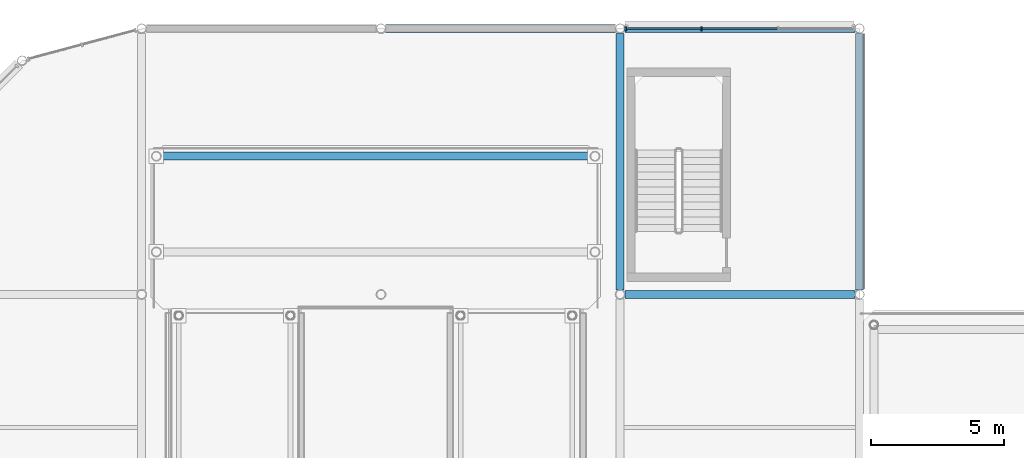
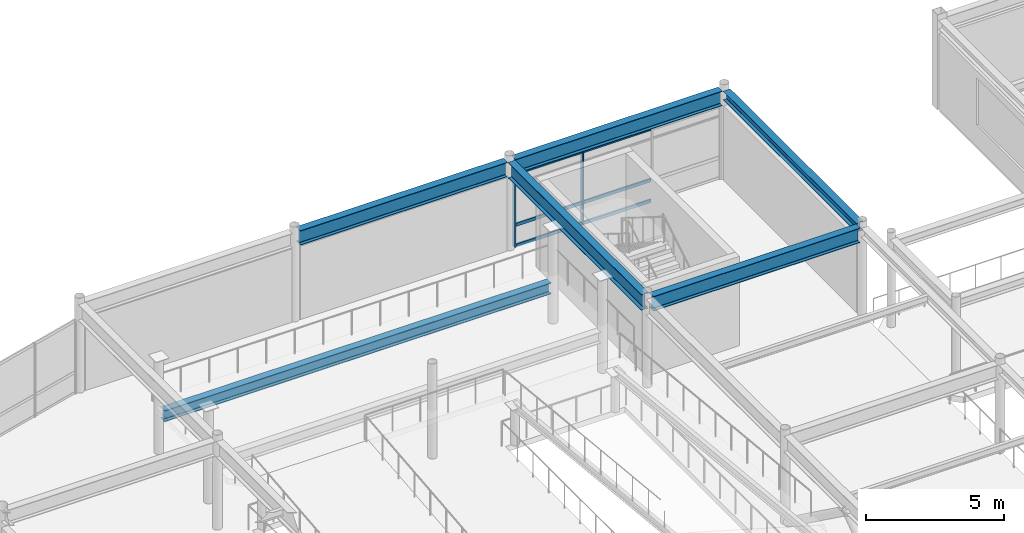
# One storey, part 23 of 70: 8 members, 6 beams, 1 element without a shape of its own.
"""IFC4 building model written with IfcOpenShell, lengths in metres."""

from ifc_helpers import new_model, si_unit, direction, frame, origin, origin_2d, place, context, subcontext, project, spatial, rectangle, i_section, extrude, material, material_profile, profile_set, type_object, element, aggregate, save


model = new_model("IFC4")

# Units and contexts
model_context = context("Model", 3, precision=1e-05, world=origin(), true_north=direction((0.0, 1.0)))
body_context = subcontext(model_context, "Body", "Model", "MODEL_VIEW")
ifc_project = project(units=[si_unit("LENGTHUNIT", "METRE"), si_unit("AREAUNIT", "SQUARE_METRE"), si_unit("VOLUMEUNIT", "CUBIC_METRE"), si_unit("PLANEANGLEUNIT", "RADIAN"), si_unit("MASSUNIT", "GRAM", prefix="KILO")], contexts=[model_context])

# Site, building, storey
site_placement = place(None, origin())
site = spatial("IfcSite", under=ifc_project, at=site_placement, CompositionType="ELEMENT")
building_placement = place(site_placement, origin())
building = spatial("IfcBuilding", under=site, at=building_placement, Name="Suzunagisa Mobility Hub", CompositionType="ELEMENT")
storey_placement = place(building_placement, frame((0.0, 0.0, 13.5)))
storey = spatial("IfcBuildingStorey", under=building, at=storey_placement, Name="L03", CompositionType="ELEMENT", Elevation=13.5)

# Curtain wall, members
ifc_material_1 = material(Name="Thermally Broken Anodized Aluminum and Low-E Glazing", Category="aluminium")
curtain_wall_type = type_object("IfcCurtainWallType", Name="Unitised Curtain Wall CW-13 8750x3200", PredefinedType="USERDEFINED", material=ifc_material_1)
curtain_wall_placement = place(storey_placement, origin())
curtain_wall = element("IfcCurtainWall", 1, at=curtain_wall_placement, inside=storey, type_object=curtain_wall_type, Name="L03 Unitised Curtain Wall CW-75", ObjectType="UNITISED CURTAIN WALL", PredefinedType="USERDEFINED")
ifc_material_2 = material(Name="Anodized Aluminum 6063-T6", Category="aluminium")
ifc_material_profile_1 = material_profile(ifc_material_2, rectangle(XDim=0.06494140625, YDim=0.139892578125, at=origin_2d()), Name="TRAN-65x140")
ifc_profile_set_1 = profile_set([ifc_material_profile_1], Name="Anodized Aluminum 6063-T6")
member_type_1 = type_object("IfcMemberType", Name="Curtain Wall Framing CM-01 TRAN-65x140", PredefinedType="USERDEFINED", material=ifc_profile_set_1)
member_1_placement = place(storey_placement, frame((32.91259765625, 118.0, 0.032470703125), z_axis=(-1.0, 0.0, 0.0), x_axis=(0.0, -1.0, 0.0)))
member_1 = element("IfcMember", 2, at=member_1_placement, type_object=member_type_1, Name="Curtain Wall Transom 75-T2.1", ObjectType="TRANSOM", PredefinedType="USERDEFINED", context=body_context, shape_type="SweptSolid", body=[
    extrude(rectangle(XDim=0.06494140625, YDim=0.139892578125, at=origin_2d()), origin(), (0.0, 0.0, 1.0), 2.8251953125),
])
member_2_placement = place(storey_placement, frame((32.91259765625, 118.0, 0.949951171875), z_axis=(-1.0, 0.0, 0.0), x_axis=(0.0, -1.0, 0.0)))
member_2 = element("IfcMember", 3, at=member_2_placement, type_object=member_type_1, Name="Curtain Wall Transom 75-T2.2", ObjectType="TRANSOM", PredefinedType="USERDEFINED", context=body_context, shape_type="SweptSolid", body=[
    extrude(rectangle(XDim=0.06494140625, YDim=0.139892578125, at=origin_2d()), origin(), (0.0, 0.0, 1.0), 2.8251953125),
])
member_3_placement = place(storey_placement, frame((32.91259765625, 118.0, 3.217529296875), z_axis=(-1.0, 0.0, 0.0), x_axis=(0.0, -1.0, 0.0)))
member_3 = element("IfcMember", 4, at=member_3_placement, type_object=member_type_1, Name="Curtain Wall Transom 75-T2.3", ObjectType="TRANSOM", PredefinedType="USERDEFINED", context=body_context, shape_type="SweptSolid", body=[
    extrude(rectangle(XDim=0.06494140625, YDim=0.139892578125, at=origin_2d()), origin(), (0.0, 0.0, 1.0), 2.8251953125),
])
member_4_placement = place(storey_placement, frame((30.03125, 118.0, 0.032470703125), z_axis=(-1.0, 0.0, 0.0), x_axis=(0.0, -1.0, 0.0)))
member_4 = element("IfcMember", 5, at=member_4_placement, type_object=member_type_1, Name="Curtain Wall Transom 75-T3.1", ObjectType="TRANSOM", PredefinedType="USERDEFINED", context=body_context, shape_type="SweptSolid", body=[
    extrude(rectangle(XDim=0.06494140625, YDim=0.139892578125, at=origin_2d()), origin(), (0.0, 0.0, 1.0), 2.79541015625),
])
member_5_placement = place(storey_placement, frame((30.03125, 118.0, 0.949951171875), z_axis=(-1.0, 0.0, 0.0), x_axis=(0.0, -1.0, 0.0)))
member_5 = element("IfcMember", 6, at=member_5_placement, type_object=member_type_1, Name="Curtain Wall Transom 75-T3.2", ObjectType="TRANSOM", PredefinedType="USERDEFINED", context=body_context, shape_type="SweptSolid", body=[
    extrude(rectangle(XDim=0.06494140625, YDim=0.139892578125, at=origin_2d()), origin(), (0.0, 0.0, 1.0), 2.79541015625),
])
member_6_placement = place(storey_placement, frame((30.03125, 118.0, 3.217529296875), z_axis=(-1.0, 0.0, 0.0), x_axis=(0.0, -1.0, 0.0)))
member_6 = element("IfcMember", 7, at=member_6_placement, type_object=member_type_1, Name="Curtain Wall Transom 75-T3.3", ObjectType="TRANSOM", PredefinedType="USERDEFINED", context=body_context, shape_type="SweptSolid", body=[
    extrude(rectangle(XDim=0.06494140625, YDim=0.139892578125, at=origin_2d()), origin(), (0.0, 0.0, 1.0), 2.79541015625),
])
ifc_material_profile_2 = material_profile(ifc_material_2, rectangle(XDim=0.06005859375, YDim=0.14990234375, at=origin_2d()), Name="MULL-60x150")
ifc_profile_set_2 = profile_set([ifc_material_profile_2], Name="Anodized Aluminum 6063-T6")
member_type_2 = type_object("IfcMemberType", Name="Curtain Wall Framing CM-03 MULL-60x150", PredefinedType="MULLION", material=ifc_profile_set_2)
member_7_placement = place(storey_placement, frame((30.059326171875, 118.0, 0.0), z_axis=(0.0, 0.0, 1.0), x_axis=(-1.0, 0.0, 0.0)))
member_7 = element("IfcMember", 8, at=member_7_placement, type_object=member_type_2, Name="Curtain Wall Mullion 75-M3", PredefinedType="MULLION", context=body_context, shape_type="SweptSolid", body=[
    extrude(rectangle(XDim=0.06005859375, YDim=0.14990234375, at=origin_2d()), origin(), (0.0, 0.0, 1.0), 3.25),
])
member_8_placement = place(storey_placement, frame((27.207763671875, 118.0, 0.0), z_axis=(0.0, 0.0, 1.0), x_axis=(-1.0, 0.0, 0.0)))
member_8 = element("IfcMember", 9, at=member_8_placement, type_object=member_type_2, Name="Curtain Wall Mullion 75-M4", PredefinedType="MULLION", context=body_context, shape_type="SweptSolid", body=[
    extrude(rectangle(XDim=0.06005859375, YDim=0.14990234375, at=origin_2d()), origin(), (0.0, 0.0, 1.0), 3.25),
])
aggregate(curtain_wall, [member_7, member_8, member_1, member_2, member_3, member_4, member_5, member_6])

# Beams
ifc_material_3 = material(Name="Steel SN490B", Category="steel")
ifc_material_profile_3 = material_profile(ifc_material_3, i_section(OverallWidth=0.300048828125, OverallDepth=0.488037109375, WebThickness=0.010986328125, FlangeThickness=0.01806640625, FilletRadius=0.012939453125, at=origin_2d()), Name="H-488x300x11x18")
ifc_profile_set_3 = profile_set([ifc_material_profile_3], Name="Steel SN490B")
beam_type_1 = type_object("IfcBeamType", Name="Steel Beam BM-06 H-488x300x11x18", PredefinedType="BEAM", material=ifc_profile_set_3)
beam_1_placement = place(storey_placement, frame((9.7099609375, 113.199951171875, 1.60595703125), z_axis=(1.0, 0.0, 0.0), x_axis=(0.0, 1.0, 0.0)))
element("IfcBeam", 10, at=beam_1_placement, inside=storey, type_object=beam_type_1, Name="L03 Ramp Turn Deck Support Girder 2332", PredefinedType="BEAM", context=body_context, shape_type="SweptSolid", body=[
    extrude(i_section(OverallWidth=0.300048828125, OverallDepth=0.488037109375, WebThickness=0.010986328125, FlangeThickness=0.01806640625, FilletRadius=0.012939453125, at=origin_2d()), origin(), (0.0, 0.0, 1.0), 16.179931640625),
])
ifc_material_profile_4 = material_profile(ifc_material_3, i_section(OverallWidth=0.300048828125, OverallDepth=0.64990234375, WebThickness=0.012939453125, FlangeThickness=0.02197265625, FilletRadius=0.01611328125, at=origin_2d()), Name="H-650x300x13x22")
ifc_profile_set_4 = profile_set([ifc_material_profile_4], Name="Steel SN490B")
beam_type_2 = type_object("IfcBeamType", Name="Steel Beam BM-10 H-650x300x13x22", PredefinedType="BEAM", material=ifc_profile_set_4)
for number, where, z_axis, x_axis, name in (
    (11, (27.173828125, 108.0, 3.625), (1.0, 0.0, 0.0), (0.0, 1.0, 0.0), "L03 Primary Girder GX-563"),
    (12, (18.173828125, 118.0, 3.625), (1.0, 0.0, 0.0), (0.0, 1.0, 0.0), "L03 Primary Girder GX-565"),
    (13, (27.173828125, 118.0, 3.625), (1.0, 0.0, 0.0), (0.0, 1.0, 0.0), "L03 Primary Girder GX-566"),
):
    element("IfcBeam", number, at=place(storey_placement, frame(where, z_axis=z_axis, x_axis=x_axis)), inside=storey, type_object=beam_type_2, Name=name, PredefinedType="BEAM", context=body_context, shape_type="SweptSolid", body=[
        extrude(i_section(OverallWidth=0.300048828125, OverallDepth=0.64990234375, WebThickness=0.012939453125, FlangeThickness=0.02197265625, FilletRadius=0.01611328125, at=origin_2d()), origin(), (0.0, 0.0, 1.0), 8.65234375),
    ])
ifc_material_profile_5 = material_profile(ifc_material_3, i_section(OverallWidth=0.300048828125, OverallDepth=0.699951171875, WebThickness=0.012939453125, FlangeThickness=0.02392578125, FilletRadius=0.01806640625, at=origin_2d()), Name="H-700x300x13x24")
ifc_profile_set_5 = profile_set([ifc_material_profile_5], Name="Steel SN490B")
beam_type_3 = type_object("IfcBeamType", Name="Steel Beam BM-11 H-700x300x13x24", PredefinedType="BEAM", material=ifc_profile_set_5)
beam_2_placement = place(storey_placement, frame((27.0, 108.173828125, 3.60009765625), z_axis=(0.0, 1.0, 0.0), x_axis=(-1.0, 0.0, 0.0)))
element("IfcBeam", 14, at=beam_2_placement, inside=storey, type_object=beam_type_3, Name="L03 Primary Girder GY-577", PredefinedType="BEAM", context=body_context, shape_type="SweptSolid", body=[
    extrude(i_section(OverallWidth=0.300048828125, OverallDepth=0.699951171875, WebThickness=0.012939453125, FlangeThickness=0.02392578125, FilletRadius=0.01806640625, at=origin_2d()), origin(), (0.0, 0.0, 1.0), 9.65234375),
])
ifc_material_profile_6 = material_profile(ifc_material_3, i_section(OverallWidth=0.300048828125, OverallDepth=0.389892578125, WebThickness=0.010009765625, FlangeThickness=0.01611328125, FilletRadius=0.012939453125, at=origin_2d()), Name="H-390x300x10x16")
ifc_profile_set_6 = profile_set([ifc_material_profile_6], Name="Steel SN490B")
beam_type_4 = type_object("IfcBeamType", Name="Steel Beam BM-13 H-390x300x10x16", PredefinedType="SPANDREL", material=ifc_profile_set_6)
beam_3_placement = place(storey_placement, frame((36.0, 108.173828125, 3.7548828125), z_axis=(0.0, 1.0, 0.0), x_axis=(-1.0, 0.0, 0.0)))
element("IfcBeam", 15, at=beam_3_placement, inside=storey, type_object=beam_type_4, Name="L03 Primary Girder GY-581", PredefinedType="SPANDREL", context=body_context, shape_type="SweptSolid", body=[
    extrude(i_section(OverallWidth=0.300048828125, OverallDepth=0.389892578125, WebThickness=0.010009765625, FlangeThickness=0.01611328125, FilletRadius=0.012939453125, at=origin_2d()), origin(), (0.0, 0.0, 1.0), 9.65234375),
])

save(model, "model.ifc")
